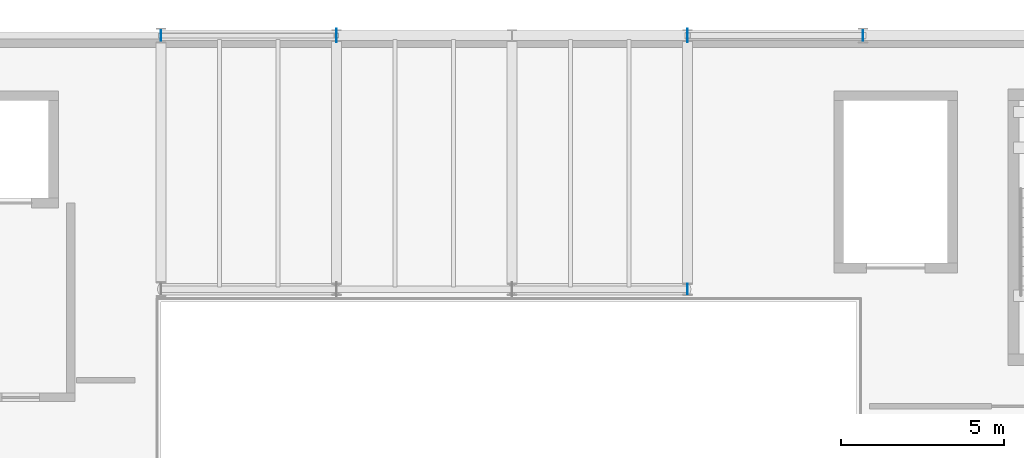
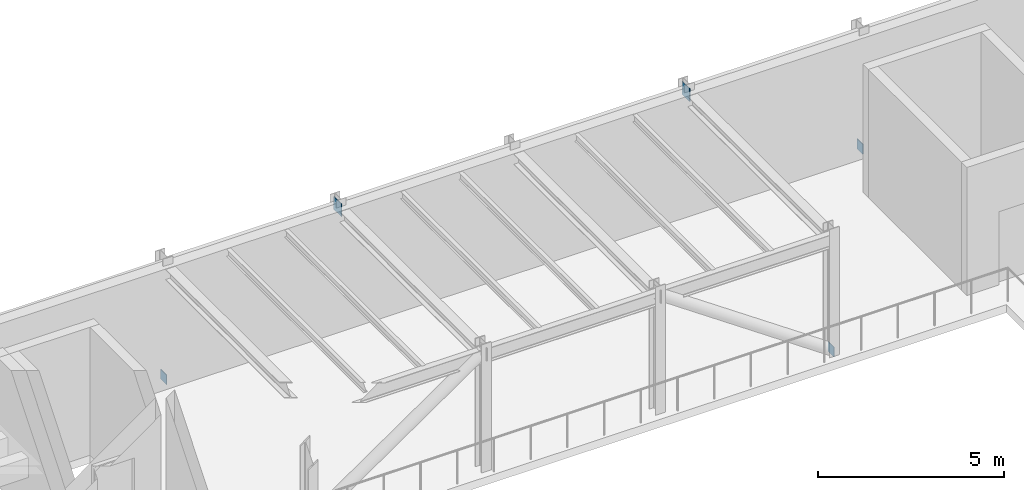
# One storey, part 36 of 104: 5 plates.
"""IFC4 building model written with IfcOpenShell, lengths in metres."""

from ifc_helpers import new_model, si_unit, direction, frame, origin, origin_2d, place, context, subcontext, project, spatial, rectangle, extrude, material, layer, layer_set, type_object, element, save


model = new_model("IFC4")

# Units and contexts
model_context = context("Model", 3, precision=1e-05, world=origin(), true_north=direction((0.0, 1.0)))
body_context = subcontext(model_context, "Body", "Model", "MODEL_VIEW")
ifc_project = project(units=[si_unit("LENGTHUNIT", "METRE"), si_unit("AREAUNIT", "SQUARE_METRE"), si_unit("VOLUMEUNIT", "CUBIC_METRE"), si_unit("PLANEANGLEUNIT", "RADIAN"), si_unit("MASSUNIT", "GRAM", prefix="KILO")], contexts=[model_context])

# Site, building, storey
site_placement = place(None, origin())
site = spatial("IfcSite", under=ifc_project, at=site_placement, CompositionType="ELEMENT")
building_placement = place(site_placement, origin())
building = spatial("IfcBuilding", under=site, at=building_placement, Name="Tazoul Stagehouse", CompositionType="ELEMENT")
storey_placement = place(building_placement, frame((0.0, 0.0, 9.0)))
storey = spatial("IfcBuildingStorey", under=building, at=storey_placement, Name="L02", CompositionType="ELEMENT", Elevation=9.0)

# Plates
ifc_material = material(Name="Steel S355", Category="steel")
ifc_layer_1 = layer(ifc_material, 0.02001953125, Name="Steel S355")
ifc_layer_set_1 = layer_set([ifc_layer_1], Name="Steel S355")
plate_type_1 = type_object("IfcPlateType", Name="Steel Brace End-Cap Plate 320x320x20", PredefinedType="USERDEFINED", material=ifc_layer_set_1)
plate_placement = place(storey_placement, frame((84.60009765625, 104.0, -0.0400390625), z_axis=(0.0, 0.0, 1.0), x_axis=(-1.0, 0.0, 0.0)))
element("IfcPlate", 1, at=plate_placement, inside=storey, type_object=plate_type_1, Name="L02 Gusset End-Cap Plate GP-01 (BR-FT-L02-IN2-1)", ObjectType="GUSSET PLATE", PredefinedType="USERDEFINED", context=body_context, shape_type="SweptSolid", body=[
    extrude(rectangle(XDim=0.02001953125, YDim=0.320068359375, at=origin_2d()), origin(), (0.0, 0.0, 1.0), 0.320068359375),
])
ifc_layer_2 = layer(ifc_material, 0.02001953125, Name="Steel S355")
ifc_layer_set_2 = layer_set([ifc_layer_2], Name="Steel S355")
plate_type_2 = type_object("IfcPlateType", Name="Steel Brace End-Cap Plate 320x320x20 (Exterior)", PredefinedType="USERDEFINED", material=ifc_layer_set_2)
for number, where, z_axis, x_axis, name in (
    (2, (68.39990234375, 111.800048828125, -0.01025390625), (0.0, 0.0, 1.0), (1.0, 0.0, 0.0), "L02 Gusset End-Cap Plate GP-01E (BR-FT-L02-N1-1)"),
    (3, (90.0, 111.800048828125, -0.01025390625), (0.0, 0.0, 1.0), (-1.0, 0.0, 0.0), "L02 Gusset End-Cap Plate GP-01E (BR-FT-L02-N2-1)"),
):
    element("IfcPlate", number, at=place(storey_placement, frame(where, z_axis=z_axis, x_axis=x_axis)), inside=storey, type_object=plate_type_2, Name=name, ObjectType="GUSSET PLATE", PredefinedType="USERDEFINED", context=body_context, shape_type="SweptSolid", body=[
        extrude(rectangle(XDim=0.02001953125, YDim=0.320068359375, at=origin_2d()), origin(), (0.0, 0.0, 1.0), 0.320068359375),
    ])
ifc_layer_3 = layer(ifc_material, 0.02392578125, Name="Steel S355")
ifc_layer_set_3 = layer_set([ifc_layer_3], Name="Steel S355")
plate_type_3 = type_object("IfcPlateType", Name="Steel Gusset Node Plate 420x420x24 (Exterior)", PredefinedType="USERDEFINED", material=ifc_layer_set_3)
for number, where, z_axis, x_axis, name in (
    (4, (73.800048828125, 111.800048828125, 3.64013671875), (0.0, 0.0, 1.0), (1.0, 0.0, 0.0), "L02 Gusset End-Cap Plate GP-02E (BR-FT-L02-N1-2)"),
    (5, (84.60009765625, 111.800048828125, 3.64013671875), (0.0, 0.0, 1.0), (-1.0, 0.0, 0.0), "L02 Gusset End-Cap Plate GP-02E (BR-FT-L02-N2-2)"),
):
    element("IfcPlate", number, at=place(storey_placement, frame(where, z_axis=z_axis, x_axis=x_axis)), inside=storey, type_object=plate_type_3, Name=name, ObjectType="GUSSET PLATE", PredefinedType="USERDEFINED", context=body_context, shape_type="SweptSolid", body=[
        extrude(rectangle(XDim=0.02392578125, YDim=0.419921875, at=origin_2d()), origin(), (0.0, 0.0, 1.0), 0.419921875),
    ])

save(model, "model.ifc")
